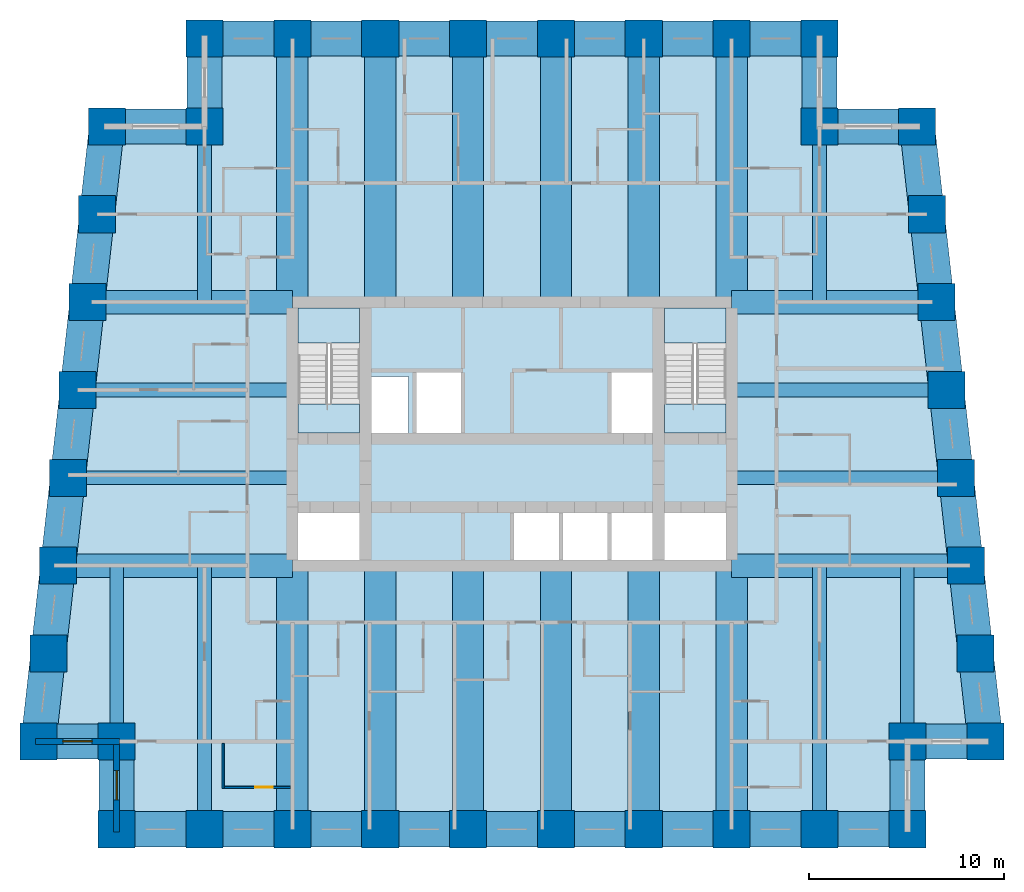
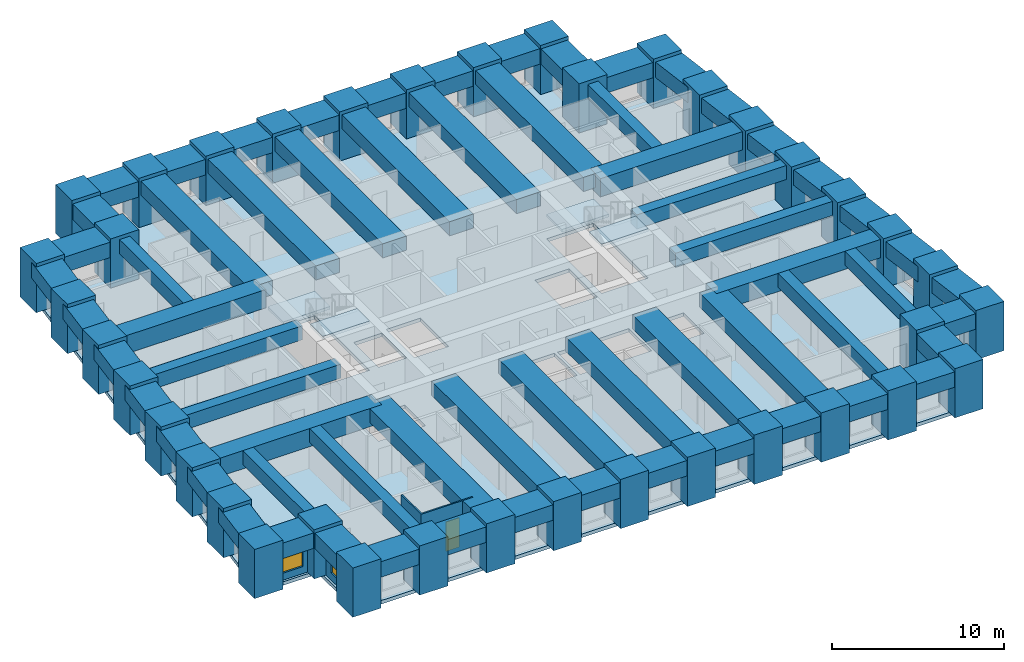
# One storey, part 1 of 8: 64 beams, 38 columns, 5 slabs, 4 walls, 2 windows, 1 door, 3 openings, 2 elements without a shape of their own.
"""IFC4 building model written with IfcOpenShell, lengths in metres."""

from ifc_helpers import new_model, si_unit, direction, frame, frame_2d, origin, origin_2d, place, context, subcontext, project, spatial, polyline, rectangle, outline, extrude, material, layer, layer_set, material_profile, profile_set, type_object, element, fill, aggregate, save


model = new_model("IFC4")

# Units and contexts
model_context = context("Model", 3, precision=1e-05, world=origin(), true_north=direction((0.0, 1.0)))
body_context = subcontext(model_context, "Body", "Model", "MODEL_VIEW")
ifc_project = project(units=[si_unit("LENGTHUNIT", "METRE"), si_unit("AREAUNIT", "SQUARE_METRE"), si_unit("VOLUMEUNIT", "CUBIC_METRE"), si_unit("PLANEANGLEUNIT", "RADIAN"), si_unit("MASSUNIT", "GRAM", prefix="KILO")], contexts=[model_context])

# Site, building, storey
site_placement = place(None, origin())
site = spatial("IfcSite", under=ifc_project, at=site_placement, CompositionType="ELEMENT")
building_placement = place(site_placement, origin())
building = spatial("IfcBuilding", under=site, at=building_placement, Name="Kilele Tower Hotel", CompositionType="ELEMENT")
storey_placement = place(building_placement, frame((0.0, 0.0, 114.39990234375)))
storey = spatial("IfcBuildingStorey", under=building, at=storey_placement, Name="L29", CompositionType="ELEMENT", Elevation=114.39990234375)

# Columns
ifc_material_1 = material(Name="Concrete C70/85", Category="concrete")
ifc_material_profile_1 = material_profile(ifc_material_1, rectangle(XDim=1.89990234375, YDim=1.89990234375, at=origin_2d()))
ifc_profile_set_1 = profile_set([ifc_material_profile_1], Name="Concrete C70/85")
column_type = type_object("IfcColumnType", Name="Tube column RC 1900x1900 C70/85", PredefinedType="COLUMN", material=ifc_profile_set_1)
for number, where, z_axis, x_axis, name in (
    (1, (0.5, 4.5, 0.0), (0.0, 0.0, 1.0), (1.0, 0.0, 0.0), "Column TC2 L29"),
    (2, (4.5, 4.5, 0.0), (0.0, 0.0, 1.0), (1.0, 0.0, 0.0), "Column TC2 L29"),
    (3, (4.5, 0.0, 0.0), (0.0, 0.0, 1.0), (1.0, 0.0, 0.0), "Column TC2 L29"),
    (4, (9.0, 0.0, 0.0), (0.0, 0.0, 1.0), (1.0, 0.0, 0.0), "Column TC2 L29"),
    (5, (13.5, 0.0, 0.0), (0.0, 0.0, 1.0), (1.0, 0.0, 0.0), "Column TC2 L29"),
    (6, (18.0, 0.0, 0.0), (0.0, 0.0, 1.0), (1.0, 0.0, 0.0), "Column TC2 L29"),
    (7, (22.5, 0.0, 0.0), (0.0, 0.0, 1.0), (1.0, 0.0, 0.0), "Column TC2 L29"),
    (8, (27.0, 0.0, 0.0), (0.0, 0.0, 1.0), (1.0, 0.0, 0.0), "Column TC2 L29"),
    (9, (31.5, 0.0, 0.0), (0.0, 0.0, 1.0), (1.0, 0.0, 0.0), "Column TC2 L29"),
    (10, (36.0, 0.0, 0.0), (0.0, 0.0, 1.0), (1.0, 0.0, 0.0), "Column TC2 L29"),
    (11, (40.5, 0.0, 0.0), (0.0, 0.0, 1.0), (1.0, 0.0, 0.0), "Column TC2 L29"),
    (12, (45.0, 0.0, 0.0), (0.0, 0.0, 1.0), (1.0, 0.0, 0.0), "Column TC2 L29"),
    (13, (45.0, 4.5, 0.0), (0.0, 0.0, 1.0), (1.0, 0.0, 0.0), "Column TC2 L29"),
    (14, (49.0, 4.5, 0.0), (0.0, 0.0, 1.0), (1.0, 0.0, 0.0), "Column TC2 L29"),
    (15, (48.5, 9.0, 0.0), (0.0, 0.0, 1.0), (1.0, 0.0, 0.0), "Column TC2 L29"),
    (16, (48.0, 13.5, 0.0), (0.0, 0.0, 1.0), (1.0, 0.0, 0.0), "Column TC2 L29"),
    (17, (47.5, 18.0, 0.0), (0.0, 0.0, 1.0), (1.0, 0.0, 0.0), "Column TC2 L29"),
    (18, (47.0, 22.5, 0.0), (0.0, 0.0, 1.0), (1.0, 0.0, 0.0), "Column TC2 L29"),
    (19, (46.5, 27.0, 0.0), (0.0, 0.0, 1.0), (1.0, 0.0, 0.0), "Column TC2 L29"),
    (20, (46.0, 31.5, 0.0), (0.0, 0.0, 1.0), (1.0, 0.0, 0.0), "Column TC2 L29"),
    (21, (45.5, 36.0, 0.0), (0.0, 0.0, 1.0), (1.0, 0.0, 0.0), "Column TC2 L29"),
    (22, (40.5, 36.0, 0.0), (0.0, 0.0, 1.0), (1.0, 0.0, 0.0), "Column TC2 L29"),
    (23, (40.5, 40.5, 0.0), (0.0, 0.0, 1.0), (1.0, 0.0, 0.0), "Column TC2 L29"),
    (24, (36.0, 40.5, 0.0), (0.0, 0.0, 1.0), (1.0, 0.0, 0.0), "Column TC2 L29"),
    (25, (31.5, 40.5, 0.0), (0.0, 0.0, 1.0), (1.0, 0.0, 0.0), "Column TC2 L29"),
    (26, (27.0, 40.5, 0.0), (0.0, 0.0, 1.0), (1.0, 0.0, 0.0), "Column TC2 L29"),
    (27, (22.5, 40.5, 0.0), (0.0, 0.0, 1.0), (1.0, 0.0, 0.0), "Column TC2 L29"),
    (28, (18.0, 40.5, 0.0), (0.0, 0.0, 1.0), (1.0, 0.0, 0.0), "Column TC2 L29"),
    (29, (13.5, 40.5, 0.0), (0.0, 0.0, 1.0), (1.0, 0.0, 0.0), "Column TC2 L29"),
    (30, (9.0, 40.5, 0.0), (0.0, 0.0, 1.0), (1.0, 0.0, 0.0), "Column TC2 L29"),
    (31, (9.0, 36.0, 0.0), (0.0, 0.0, 1.0), (1.0, 0.0, 0.0), "Column TC2 L29"),
    (32, (4.0, 36.0, 0.0), (0.0, 0.0, 1.0), (1.0, 0.0, 0.0), "Column TC2 L29"),
    (33, (3.5, 31.5, 0.0), (0.0, 0.0, 1.0), (1.0, 0.0, 0.0), "Column TC2 L29"),
    (34, (3.0, 27.0, 0.0), (0.0, 0.0, 1.0), (1.0, 0.0, 0.0), "Column TC2 L29"),
    (35, (2.5, 22.5, 0.0), (0.0, 0.0, 1.0), (1.0, 0.0, 0.0), "Column TC2 L29"),
    (36, (2.0, 18.0, 0.0), (0.0, 0.0, 1.0), (1.0, 0.0, 0.0), "Column TC2 L29"),
    (37, (1.5, 13.5, 0.0), (0.0, 0.0, 1.0), (1.0, 0.0, 0.0), "Column TC2 L29"),
    (38, (1.0, 9.0, 0.0), (0.0, 0.0, 1.0), (1.0, 0.0, 0.0), "Column TC2 L29"),
):
    element("IfcColumn", number, at=place(storey_placement, frame(where, z_axis=z_axis, x_axis=x_axis)), inside=storey, type_object=column_type, Name=name, PredefinedType="COLUMN", context=body_context, shape_type="SweptSolid", body=[
        extrude(rectangle(XDim=1.89990234375, YDim=1.89990234375, at=origin_2d()), origin(), (0.0, 0.0, 1.0), 3.5),
    ])

# Beams
ifc_material_2 = material(Name="Concrete C60/75", Category="concrete")
ifc_material_profile_2 = material_profile(ifc_material_2, rectangle(XDim=1.60009765625, YDim=1.0, at=origin_2d()))
ifc_profile_set_2 = profile_set([ifc_material_profile_2], Name="Concrete C60/75")
beam_type_1 = type_object("IfcBeamType", Name="Beam RC 1600x1000 C60/75", PredefinedType="BEAM", material=ifc_profile_set_2)
for number, where, z_axis, x_axis, name in (
    (39, (13.5, 0.0, 2.75), (0.0, 1.0, 0.0), (-1.0, 0.0, 0.0), "Beam BC1 level L30"),
    (40, (18.0, 0.0, 2.75), (0.0, 1.0, 0.0), (-1.0, 0.0, 0.0), "Beam BC1 level L30"),
    (41, (22.5, 0.0, 2.75), (0.0, 1.0, 0.0), (-1.0, 0.0, 0.0), "Beam BC1 level L30"),
    (42, (27.0, 0.0, 2.75), (0.0, 1.0, 0.0), (-1.0, 0.0, 0.0), "Beam BC1 level L30"),
    (43, (31.5, 0.0, 2.75), (0.0, 1.0, 0.0), (-1.0, 0.0, 0.0), "Beam BC1 level L30"),
    (44, (36.0, 0.0, 2.75), (0.0, 1.0, 0.0), (-1.0, 0.0, 0.0), "Beam BC1 level L30"),
    (45, (36.0, 40.5, 2.75), (0.0, -1.0, 0.0), (1.0, 0.0, 0.0), "Beam BC1 level L30"),
    (46, (31.5, 40.5, 2.75), (0.0, -1.0, 0.0), (1.0, 0.0, 0.0), "Beam BC1 level L30"),
    (47, (27.0, 40.5, 2.75), (0.0, -1.0, 0.0), (1.0, 0.0, 0.0), "Beam BC1 level L30"),
    (48, (22.5, 40.5, 2.75), (0.0, -1.0, 0.0), (1.0, 0.0, 0.0), "Beam BC1 level L30"),
    (49, (18.0, 40.5, 2.75), (0.0, -1.0, 0.0), (1.0, 0.0, 0.0), "Beam BC1 level L30"),
    (50, (13.5, 40.5, 2.75), (0.0, -1.0, 0.0), (1.0, 0.0, 0.0), "Beam BC1 level L30"),
):
    element("IfcBeam", number, at=place(storey_placement, frame(where, z_axis=z_axis, x_axis=x_axis)), inside=storey, type_object=beam_type_1, Name=name, PredefinedType="BEAM", context=body_context, shape_type="SweptSolid", body=[
        extrude(rectangle(XDim=1.60009765625, YDim=1.0, at=origin_2d()), origin(), (0.0, 0.0, 1.0), 13.5),
    ])
ifc_material_3 = material(Name="Concrete C60/75", Category="concrete")
ifc_material_profile_3 = material_profile(ifc_material_3, rectangle(XDim=0.699951171875, YDim=1.0, at=origin_2d()))
ifc_profile_set_3 = profile_set([ifc_material_profile_3], Name="Concrete C60/75")
beam_type_2 = type_object("IfcBeamType", Name="Beam RC 700x1000 C60/75", PredefinedType="BEAM", material=ifc_profile_set_3)
for number, where, z_axis, x_axis, name in (
    (51, (9.0, 0.0, 2.75), (0.0, 1.0, 0.0), (-1.0, 0.0, 0.0), "Beam B4 level L30"),
    (52, (40.5, 0.0, 2.75), (0.0, 1.0, 0.0), (-1.0, 0.0, 0.0), "Beam B4 level L30"),
):
    element("IfcBeam", number, at=place(storey_placement, frame(where, z_axis=z_axis, x_axis=x_axis)), inside=storey, type_object=beam_type_2, Name=name, PredefinedType="BEAM", context=body_context, shape_type="SweptSolid", body=[
        extrude(rectangle(XDim=0.699951171875, YDim=1.0, at=origin_2d()), origin(), (0.0, 0.0, 1.0), 13.5),
    ])
ifc_material_4 = material(Name="Concrete C60/75", Category="concrete")
ifc_material_profile_4 = material_profile(ifc_material_4, rectangle(XDim=0.699951171875, YDim=1.0, at=origin_2d()))
ifc_profile_set_4 = profile_set([ifc_material_profile_4], Name="Concrete C60/75")
beam_type_3 = type_object("IfcBeamType", Name="Beam RC 700x1000 C60/75 mid span", PredefinedType="BEAM", material=ifc_profile_set_4)
for number, where, z_axis, x_axis, name in (
    (53, (4.5, 4.5, 2.75), (0.0, 1.0, 0.0), (-1.0, 0.0, 0.0), "Beam B5 level L30"),
    (54, (45.0, 4.5, 2.75), (0.0, 1.0, 0.0), (-1.0, 0.0, 0.0), "Beam B5 level L30"),
):
    element("IfcBeam", number, at=place(storey_placement, frame(where, z_axis=z_axis, x_axis=x_axis)), inside=storey, type_object=beam_type_3, Name=name, PredefinedType="BEAM", context=body_context, shape_type="SweptSolid", body=[
        extrude(rectangle(XDim=0.699951171875, YDim=1.0, at=origin_2d()), origin(), (0.0, 0.0, 1.0), 9.0),
    ])
beam_1_placement = place(storey_placement, frame((47.5, 18.0, 2.75), z_axis=(-1.0, 0.0, 0.0), x_axis=(0.0, -1.0, 0.0)))
element("IfcBeam", 55, at=beam_1_placement, inside=storey, type_object=beam_type_3, Name="Beam B5 level L30", PredefinedType="BEAM", context=body_context, shape_type="SweptSolid", body=[
    extrude(rectangle(XDim=0.699951171875, YDim=1.0, at=origin_2d()), origin(), (0.0, 0.0, 1.0), 11.5),
])
beam_2_placement = place(storey_placement, frame((47.0, 22.5, 2.75), z_axis=(-1.0, 0.0, 0.0), x_axis=(0.0, -1.0, 0.0)))
element("IfcBeam", 56, at=beam_2_placement, inside=storey, type_object=beam_type_3, Name="Beam B5 level L30", PredefinedType="BEAM", context=body_context, shape_type="SweptSolid", body=[
    extrude(rectangle(XDim=0.699951171875, YDim=1.0, at=origin_2d()), origin(), (0.0, 0.0, 1.0), 11.0),
])
for number, where, z_axis, x_axis, name in (
    (57, (40.5, 36.0, 2.75), (0.0, -1.0, 0.0), (1.0, 0.0, 0.0), "Beam B5 level L30"),
    (58, (9.0, 36.0, 2.75), (0.0, -1.0, 0.0), (1.0, 0.0, 0.0), "Beam B5 level L30"),
):
    element("IfcBeam", number, at=place(storey_placement, frame(where, z_axis=z_axis, x_axis=x_axis)), inside=storey, type_object=beam_type_3, Name=name, PredefinedType="BEAM", context=body_context, shape_type="SweptSolid", body=[
        extrude(rectangle(XDim=0.699951171875, YDim=1.0, at=origin_2d()), origin(), (0.0, 0.0, 1.0), 9.0),
    ])
beam_3_placement = place(storey_placement, frame((2.5, 22.5, 2.75), z_axis=(1.0, 0.0, 0.0), x_axis=(0.0, 1.0, 0.0)))
element("IfcBeam", 59, at=beam_3_placement, inside=storey, type_object=beam_type_3, Name="Beam B5 level L30", PredefinedType="BEAM", context=body_context, shape_type="SweptSolid", body=[
    extrude(rectangle(XDim=0.699951171875, YDim=1.0, at=origin_2d()), origin(), (0.0, 0.0, 1.0), 11.0),
])
beam_4_placement = place(storey_placement, frame((2.0, 18.0, 2.75), z_axis=(1.0, 0.0, 0.0), x_axis=(0.0, 1.0, 0.0)))
element("IfcBeam", 60, at=beam_4_placement, inside=storey, type_object=beam_type_3, Name="Beam B5 level L30", PredefinedType="BEAM", context=body_context, shape_type="SweptSolid", body=[
    extrude(rectangle(XDim=0.699951171875, YDim=1.0, at=origin_2d()), origin(), (0.0, 0.0, 1.0), 11.5),
])
ifc_material_5 = material(Name="Concrete C60/75", Category="concrete")
ifc_material_profile_5 = material_profile(ifc_material_5, rectangle(XDim=1.199951171875, YDim=1.300048828125, at=origin_2d()))
ifc_profile_set_5 = profile_set([ifc_material_profile_5], Name="Concrete C60/75")
beam_type_4 = type_object("IfcBeamType", Name="Girder RC 1200x1300 C60/75", PredefinedType="BEAM", material=ifc_profile_set_5)
for number, where, z_axis, x_axis, name in (
    (61, (48.0, 13.5, 2.60009765625), (-1.0, 0.0, 0.0), (0.0, -1.0, 0.0), "Girder G1 level L30"),
    (62, (1.5, 13.5, 2.60009765625), (1.0, 0.0, 0.0), (0.0, 1.0, 0.0), "Girder G1 level L30"),
):
    element("IfcBeam", number, at=place(storey_placement, frame(where, z_axis=z_axis, x_axis=x_axis)), inside=storey, type_object=beam_type_4, Name=name, PredefinedType="BEAM", context=body_context, shape_type="SweptSolid", body=[
        extrude(rectangle(XDim=1.199951171875, YDim=1.300048828125, at=origin_2d()), origin(), (0.0, 0.0, 1.0), 12.0),
    ])
ifc_material_6 = material(Name="Concrete C60/75", Category="concrete")
ifc_material_profile_6 = material_profile(ifc_material_6, rectangle(XDim=1.199951171875, YDim=1.300048828125, at=origin_2d()))
ifc_profile_set_6 = profile_set([ifc_material_profile_6], Name="Concrete C60/75")
beam_type_5 = type_object("IfcBeamType", Name="Girder RC 1200x1300 C60/75 mid span", PredefinedType="BEAM", material=ifc_profile_set_6)
for number, where, z_axis, x_axis, name in (
    (63, (46.5, 27.0, 2.60009765625), (-1.0, 0.0, 0.0), (0.0, -1.0, 0.0), "Girder G3 level L30"),
    (64, (3.0, 27.0, 2.60009765625), (1.0, 0.0, 0.0), (0.0, 1.0, 0.0), "Girder G3 level L30"),
):
    element("IfcBeam", number, at=place(storey_placement, frame(where, z_axis=z_axis, x_axis=x_axis)), inside=storey, type_object=beam_type_5, Name=name, PredefinedType="BEAM", context=body_context, shape_type="SweptSolid", body=[
        extrude(rectangle(XDim=1.199951171875, YDim=1.300048828125, at=origin_2d()), origin(), (0.0, 0.0, 1.0), 10.5),
    ])
ifc_material_7 = material(Name="Concrete C60/75", Category="concrete")
ifc_material_profile_7 = material_profile(ifc_material_7, rectangle(XDim=1.800048828125, YDim=1.10009765625, at=origin_2d()))
ifc_profile_set_7 = profile_set([ifc_material_profile_7], Name="Concrete C60/75")
beam_type_6 = type_object("IfcBeamType", Name="Spandrel RC 1800x1100 C60/75", PredefinedType="SPANDREL", material=ifc_profile_set_7)
beam_5_placement = place(storey_placement, frame((0.5, 4.5, 2.7001953125), z_axis=(1.0, 0.0, 0.0), x_axis=(0.0, 1.0, 0.0)))
element("IfcBeam", 65, at=beam_5_placement, inside=storey, type_object=beam_type_6, Name="Spandrel SP4 level L30", PredefinedType="SPANDREL", context=body_context, shape_type="SweptSolid", body=[
    extrude(rectangle(XDim=1.800048828125, YDim=1.10009765625, at=origin_2d()), origin(), (0.0, 0.0, 1.0), 4.0),
])
for number, where, z_axis, x_axis, name in (
    (66, (4.5, 4.5, 2.7001953125), (0.0, -1.0, 0.0), (1.0, 0.0, 0.0), "Spandrel SP4 level L30"),
    (67, (4.5, 0.0, 2.7001953125), (1.0, 0.0, 0.0), (0.0, 1.0, 0.0), "Spandrel SP4 level L30"),
    (68, (9.0, 0.0, 2.7001953125), (1.0, 0.0, 0.0), (0.0, 1.0, 0.0), "Spandrel SP4 level L30"),
    (69, (13.5, 0.0, 2.7001953125), (1.0, 0.0, 0.0), (0.0, 1.0, 0.0), "Spandrel SP4 level L30"),
    (70, (18.0, 0.0, 2.7001953125), (1.0, 0.0, 0.0), (0.0, 1.0, 0.0), "Spandrel SP4 level L30"),
    (71, (22.5, 0.0, 2.7001953125), (1.0, 0.0, 0.0), (0.0, 1.0, 0.0), "Spandrel SP4 level L30"),
    (72, (27.0, 0.0, 2.7001953125), (1.0, 0.0, 0.0), (0.0, 1.0, 0.0), "Spandrel SP4 level L30"),
    (73, (31.5, 0.0, 2.7001953125), (1.0, 0.0, 0.0), (0.0, 1.0, 0.0), "Spandrel SP4 level L30"),
    (74, (36.0, 0.0, 2.7001953125), (1.0, 0.0, 0.0), (0.0, 1.0, 0.0), "Spandrel SP4 level L30"),
    (75, (40.5, 0.0, 2.7001953125), (1.0, 0.0, 0.0), (0.0, 1.0, 0.0), "Spandrel SP4 level L30"),
    (76, (45.0, 0.0, 2.7001953125), (0.0, 1.0, 0.0), (-1.0, 0.0, 0.0), "Spandrel SP4 level L30"),
):
    element("IfcBeam", number, at=place(storey_placement, frame(where, z_axis=z_axis, x_axis=x_axis)), inside=storey, type_object=beam_type_6, Name=name, PredefinedType="SPANDREL", context=body_context, shape_type="SweptSolid", body=[
        extrude(rectangle(XDim=1.800048828125, YDim=1.10009765625, at=origin_2d()), origin(), (0.0, 0.0, 1.0), 4.5),
    ])
beam_6_placement = place(storey_placement, frame((45.0, 4.5, 2.7001953125), z_axis=(1.0, 0.0, 0.0), x_axis=(0.0, 1.0, 0.0)))
element("IfcBeam", 77, at=beam_6_placement, inside=storey, type_object=beam_type_6, Name="Spandrel SP4 level L30", PredefinedType="SPANDREL", context=body_context, shape_type="SweptSolid", body=[
    extrude(rectangle(XDim=1.800048828125, YDim=1.10009765625, at=origin_2d()), origin(), (0.0, 0.0, 1.0), 4.0),
])
for number, where, z_axis, x_axis, name in (
    (78, (49.0, 4.5, 2.7001953125), (-0.110431526075, 0.993883734674, 0.0), (-0.993883734674, -0.110431526075, 0.0), "Spandrel SP4 level L30"),
    (79, (48.5, 9.0, 2.7001953125), (-0.110431526075, 0.993883734674, 0.0), (-0.993883734674, -0.110431526075, 0.0), "Spandrel SP4 level L30"),
    (80, (48.0, 13.5, 2.7001953125), (-0.110431526075, 0.993883734674, 0.0), (-0.993883734674, -0.110431526075, 0.0), "Spandrel SP4 level L30"),
    (81, (47.5, 18.0, 2.7001953125), (-0.110431526075, 0.993883734674, 0.0), (-0.993883734674, -0.110431526075, 0.0), "Spandrel SP4 level L30"),
    (82, (47.0, 22.5, 2.7001953125), (-0.110431526075, 0.993883734674, 0.0), (-0.993883734674, -0.110431526075, 0.0), "Spandrel SP4 level L30"),
    (83, (46.5, 27.0, 2.7001953125), (-0.110431526075, 0.993883734674, 0.0), (-0.993883734674, -0.110431526075, 0.0), "Spandrel SP4 level L30"),
    (84, (46.0, 31.5, 2.7001953125), (-0.110431526075, 0.993883734674, 0.0), (-0.993883734674, -0.110431526075, 0.0), "Spandrel SP4 level L30"),
):
    element("IfcBeam", number, at=place(storey_placement, frame(where, z_axis=z_axis, x_axis=x_axis)), inside=storey, type_object=beam_type_6, Name=name, PredefinedType="SPANDREL", context=body_context, shape_type="SweptSolid", body=[
        extrude(rectangle(XDim=1.800048828125, YDim=1.10009765625, at=origin_2d()), origin(), (0.0, 0.0, 1.0), 4.527587890625),
    ])
beam_7_placement = place(storey_placement, frame((45.5, 36.0, 2.7001953125), z_axis=(-1.0, 0.0, 0.0), x_axis=(0.0, -1.0, 0.0)))
element("IfcBeam", 85, at=beam_7_placement, inside=storey, type_object=beam_type_6, Name="Spandrel SP4 level L30", PredefinedType="SPANDREL", context=body_context, shape_type="SweptSolid", body=[
    extrude(rectangle(XDim=1.800048828125, YDim=1.10009765625, at=origin_2d()), origin(), (0.0, 0.0, 1.0), 5.0),
])
for number, where, z_axis, x_axis, name in (
    (86, (40.5, 36.0, 2.7001953125), (0.0, 1.0, 0.0), (-1.0, 0.0, 0.0), "Spandrel SP4 level L30"),
    (87, (40.5, 40.5, 2.7001953125), (-1.0, 0.0, 0.0), (0.0, -1.0, 0.0), "Spandrel SP4 level L30"),
    (88, (36.0, 40.5, 2.7001953125), (-1.0, 0.0, 0.0), (0.0, -1.0, 0.0), "Spandrel SP4 level L30"),
    (89, (31.5, 40.5, 2.7001953125), (-1.0, 0.0, 0.0), (0.0, -1.0, 0.0), "Spandrel SP4 level L30"),
    (90, (27.0, 40.5, 2.7001953125), (-1.0, 0.0, 0.0), (0.0, -1.0, 0.0), "Spandrel SP4 level L30"),
    (91, (22.5, 40.5, 2.7001953125), (-1.0, 0.0, 0.0), (0.0, -1.0, 0.0), "Spandrel SP4 level L30"),
    (92, (18.0, 40.5, 2.7001953125), (-1.0, 0.0, 0.0), (0.0, -1.0, 0.0), "Spandrel SP4 level L30"),
    (93, (13.5, 40.5, 2.7001953125), (-1.0, 0.0, 0.0), (0.0, -1.0, 0.0), "Spandrel SP4 level L30"),
    (94, (9.0, 40.5, 2.7001953125), (0.0, -1.0, 0.0), (1.0, 0.0, 0.0), "Spandrel SP4 level L30"),
):
    element("IfcBeam", number, at=place(storey_placement, frame(where, z_axis=z_axis, x_axis=x_axis)), inside=storey, type_object=beam_type_6, Name=name, PredefinedType="SPANDREL", context=body_context, shape_type="SweptSolid", body=[
        extrude(rectangle(XDim=1.800048828125, YDim=1.10009765625, at=origin_2d()), origin(), (0.0, 0.0, 1.0), 4.5),
    ])
beam_8_placement = place(storey_placement, frame((9.0, 36.0, 2.7001953125), z_axis=(-1.0, 0.0, 0.0), x_axis=(0.0, -1.0, 0.0)))
element("IfcBeam", 95, at=beam_8_placement, inside=storey, type_object=beam_type_6, Name="Spandrel SP4 level L30", PredefinedType="SPANDREL", context=body_context, shape_type="SweptSolid", body=[
    extrude(rectangle(XDim=1.800048828125, YDim=1.10009765625, at=origin_2d()), origin(), (0.0, 0.0, 1.0), 5.0),
])
for number, where, z_axis, x_axis, name in (
    (96, (4.0, 36.0, 2.7001953125), (-0.110431526075, -0.993883734674, 0.0), (0.993883734674, -0.110431526075, 0.0), "Spandrel SP4 level L30"),
    (97, (3.5, 31.5, 2.7001953125), (-0.110431526075, -0.993883734674, 0.0), (0.993883734674, -0.110431526075, 0.0), "Spandrel SP4 level L30"),
    (98, (3.0, 27.0, 2.7001953125), (-0.110431526075, -0.993883734674, 0.0), (0.993883734674, -0.110431526075, 0.0), "Spandrel SP4 level L30"),
    (99, (2.5, 22.5, 2.7001953125), (-0.110431526075, -0.993883734674, 0.0), (0.993883734674, -0.110431526075, 0.0), "Spandrel SP4 level L30"),
    (100, (2.0, 18.0, 2.7001953125), (-0.110431526075, -0.993883734674, 0.0), (0.993883734674, -0.110431526075, 0.0), "Spandrel SP4 level L30"),
    (101, (1.5, 13.5, 2.7001953125), (-0.110431526075, -0.993883734674, 0.0), (0.993883734674, -0.110431526075, 0.0), "Spandrel SP4 level L30"),
    (102, (1.0, 9.0, 2.7001953125), (-0.110431526075, -0.993883734674, 0.0), (0.993883734674, -0.110431526075, 0.0), "Spandrel SP4 level L30"),
):
    element("IfcBeam", number, at=place(storey_placement, frame(where, z_axis=z_axis, x_axis=x_axis)), inside=storey, type_object=beam_type_6, Name=name, PredefinedType="SPANDREL", context=body_context, shape_type="SweptSolid", body=[
        extrude(rectangle(XDim=1.800048828125, YDim=1.10009765625, at=origin_2d()), origin(), (0.0, 0.0, 1.0), 4.527587890625),
    ])

# Slab
ifc_material_8 = material(Name="Concrete C60/75", Category="concrete")
ifc_layer_1 = layer(ifc_material_8, 0.25)
ifc_layer_set_1 = layer_set([ifc_layer_1], Name="Concrete C60/75")
slab_type_1 = type_object("IfcSlabType", Name="Floor slab 250", PredefinedType="FLOOR", material=ifc_layer_set_1)
slab_1_placement = place(storey_placement, frame((0.0, 0.0, -0.25)))
element("IfcSlab", 103, at=slab_1_placement, inside=storey, type_object=slab_type_1, Name="Floor slab L29", PredefinedType="FLOOR", context=body_context, shape_type="SweptSolid", body=[
    extrude(outline(polyline([(8.699951171875, 36.300048828125), (8.699951171875, 40.800048828125), (40.800048828125, 40.800048828125), (40.800048828125, 36.300048828125), (45.7685546875, 36.300048828125), (49.335205078125, 4.199951171875), (45.300048828125, 4.199951171875), (45.300048828125, -0.300048828125), (4.199951171875, -0.300048828125), (4.199951171875, 4.199951171875), (0.164794921875, 4.199951171875), (3.7314453125, 36.300048828125), (8.699951171875, 36.300048828125)]), holes=[polyline([(16.949951171875, 16.199951171875), (13.800048828125, 16.199951171875), (13.800048828125, 13.800048828125), (16.949951171875, 13.800048828125), (16.949951171875, 16.199951171875)]), polyline([(35.699951171875, 16.199951171875), (32.550048828125, 16.199951171875), (32.550048828125, 13.800048828125), (35.699951171875, 13.800048828125), (35.699951171875, 16.199951171875)]), polyline([(27.14990234375, 16.39990234375), (24.85009765625, 16.39990234375), (24.85009765625, 13.800048828125), (27.14990234375, 13.800048828125), (27.14990234375, 16.39990234375)]), polyline([(29.64990234375, 13.800048828125), (29.64990234375, 16.39990234375), (27.35009765625, 16.39990234375), (27.35009765625, 13.800048828125), (29.64990234375, 13.800048828125)]), polyline([(32.14990234375, 13.800048828125), (32.14990234375, 16.39990234375), (29.85009765625, 16.39990234375), (29.85009765625, 13.800048828125), (32.14990234375, 13.800048828125)]), polyline([(19.449951171875, 23.199951171875), (17.550048828125, 23.199951171875), (17.550048828125, 20.300048828125), (19.449951171875, 20.300048828125), (19.449951171875, 23.199951171875)]), polyline([(22.14990234375, 23.39990234375), (19.85009765625, 23.39990234375), (19.85009765625, 20.10009765625), (22.14990234375, 20.10009765625), (22.14990234375, 23.39990234375)]), polyline([(32.14990234375, 23.39990234375), (29.85009765625, 23.39990234375), (29.85009765625, 20.10009765625), (32.14990234375, 20.10009765625), (32.14990234375, 23.39990234375)]), polyline([(16.949951171875, 20.300048828125), (16.949951171875, 26.699951171875), (13.800048828125, 26.699951171875), (13.800048828125, 20.300048828125), (16.949951171875, 20.300048828125)]), polyline([(35.699951171875, 20.300048828125), (35.699951171875, 26.699951171875), (32.550048828125, 26.699951171875), (32.550048828125, 20.300048828125), (35.699951171875, 20.300048828125)])]), origin(), (0.0, 0.0, 1.0), 0.25),
])

# Stair, slabs
ifc_material_9 = material(Name="Precast concrete C40/50", Category="concrete")
stair_type = type_object("IfcStairType", Name="Stair 1475 x 3500", PredefinedType="HALF_TURN_STAIR", material=ifc_material_9)
stair_1_placement = place(storey_placement, origin())
stair_1 = element("IfcStair", 104, at=stair_1_placement, inside=storey, type_object=stair_type, Name="Stair 1 L29", PredefinedType="HALF_TURN_STAIR")
ifc_material_10 = material(Name="Precast concrete C40/50", Category="concrete")
ifc_layer_2 = layer(ifc_material_10, 0.199951171875)
ifc_layer_set_2 = layer_set([ifc_layer_2], Name="Precast concrete C40/50")
slab_type_2 = type_object("IfcSlabType", Name="Stair landing 200", PredefinedType="LANDING", material=ifc_layer_set_2)
slab_2_placement = place(storey_placement, frame((0.0, 0.0, 1.550048828125)))
slab_2 = element("IfcSlab", 105, at=slab_2_placement, type_object=slab_type_2, Name="ST1 landing 1", PredefinedType="LANDING", context=body_context, shape_type="SweptSolid", body=[
    extrude(outline(polyline([(13.800048828125, 24.89501953125), (16.949951171875, 24.89501953125), (16.949951171875, 26.699951171875), (13.800048828125, 26.699951171875), (13.800048828125, 24.89501953125)])), origin(), (0.0, 0.0, 1.0), 0.199951171875),
])
slab_3_placement = place(storey_placement, frame((0.0, 0.0, 3.300048828125)))
slab_3 = element("IfcSlab", 106, at=slab_3_placement, type_object=slab_type_2, Name="ST1 landing 2", PredefinedType="LANDING", context=body_context, shape_type="SweptSolid", body=[
    extrude(outline(polyline([(13.800048828125, 20.300048828125), (16.949951171875, 20.300048828125), (16.949951171875, 21.77490234375), (13.800048828125, 21.77490234375), (13.800048828125, 20.300048828125)])), origin(), (0.0, 0.0, 1.0), 0.199951171875),
])
aggregate(stair_1, [slab_2, slab_3])

stair_2_placement = place(storey_placement, origin())
stair_2 = element("IfcStair", 107, at=stair_2_placement, inside=storey, type_object=stair_type, Name="Stair 2 L29", PredefinedType="HALF_TURN_STAIR")
slab_4_placement = place(storey_placement, frame((0.0, 0.0, 1.550048828125)))
slab_4 = element("IfcSlab", 108, at=slab_4_placement, type_object=slab_type_2, Name="ST2 landing 1", PredefinedType="LANDING", context=body_context, shape_type="SweptSolid", body=[
    extrude(outline(polyline([(32.550048828125, 24.89501953125), (35.699951171875, 24.89501953125), (35.699951171875, 26.699951171875), (32.550048828125, 26.699951171875), (32.550048828125, 24.89501953125)])), origin(), (0.0, 0.0, 1.0), 0.199951171875),
])
slab_5_placement = place(storey_placement, frame((0.0, 0.0, 3.300048828125)))
slab_5 = element("IfcSlab", 109, at=slab_5_placement, type_object=slab_type_2, Name="ST2 landing 2", PredefinedType="LANDING", context=body_context, shape_type="SweptSolid", body=[
    extrude(outline(polyline([(32.550048828125, 20.300048828125), (35.699951171875, 20.300048828125), (35.699951171875, 21.77490234375), (32.550048828125, 21.77490234375), (32.550048828125, 20.300048828125)])), origin(), (0.0, 0.0, 1.0), 0.199951171875),
])
aggregate(stair_2, [slab_4, slab_5])

# Wall
ifc_material_11 = material(Name="Moisture-resistant board")
ifc_layer_3 = layer(ifc_material_11, 0.10009765625)
ifc_layer_set_3 = layer_set([ifc_layer_3], Name="Moisture-resistant board")
wall_type_1 = type_object("IfcWallType", Name="Bathroom partition 100", PredefinedType="PLUMBINGWALL", material=ifc_layer_set_3)
wall_1_placement = place(storey_placement, frame((9.949951171875, 4.39990234375, 0.0), z_axis=(0.0, 0.0, 1.0), x_axis=(0.0, -1.0, 0.0)))
element("IfcWall", 110, at=wall_1_placement, inside=storey, type_object=wall_type_1, Name="Bathroom partition 100 L29", PredefinedType="PLUMBINGWALL", context=body_context, shape_type="SweptSolid", body=[
    extrude(rectangle(XDim=2.2998046875, YDim=0.10009765625, at=frame_2d((1.14990234375, 0.0))), origin(), (0.0, 0.0, 1.0), 3.25),
])

# Wall, opening, door
wall_2_placement = place(storey_placement, frame((13.39990234375, 2.14990234375, 0.0), z_axis=(0.0, 0.0, 1.0), x_axis=(-1.0, 0.0, 0.0)))
wall_2 = element("IfcWall", 111, at=wall_2_placement, inside=storey, type_object=wall_type_1, Name="Bathroom partition 100 L29", PredefinedType="PLUMBINGWALL", context=body_context, shape_type="SweptSolid", body=[
    extrude(rectangle(XDim=3.5, YDim=0.10009765625, at=frame_2d((1.75, 0.0))), origin(), (0.0, 0.0, 1.0), 3.25),
])
opening_1_placement = place(wall_2_placement, frame((0.89990234375, 0.0, 0.0)))
opening_1 = element("IfcOpeningElement", 112, at=opening_1_placement, cuts=wall_2, Name="Opening D2A", PredefinedType="OPENING", context=body_context, shape_type="SweptSolid", body=[
    extrude(rectangle(XDim=0.89990234375, YDim=2.10009765625, at=frame_2d((0.449951171875, 1.050048828125))), frame((0.0, 0.06005859375, 0.0), z_axis=(0.0, -1.0, 0.0), x_axis=(1.0, 0.0, 0.0)), (0.0, 0.0, 1.0), 0.1201171875),
])
ifc_material_12 = material(Name="Timber door leaf in hardwood frame", Category="wood")
door_type = type_object("IfcDoorType", Name="Bathroom door 900", OperationType="SINGLE_SWING_LEFT", PredefinedType="DOOR", material=ifc_material_12)
door_placement = place(opening_1_placement, origin())
door = element("IfcDoor", 113, at=door_placement, inside=storey, type_object=door_type, Name="Bathroom door 2919B", OperationType="SINGLE_SWING_LEFT", OverallHeight=2.10009765625, OverallWidth=0.89990234375, PredefinedType="DOOR", context=body_context, shape_type="SweptSolid", body=[
    extrude(rectangle(XDim=0.89990234375, YDim=2.10009765625, at=frame_2d((0.449951171875, 1.050048828125))), frame((0.0, 0.02490234375, 0.0), z_axis=(0.0, -1.0, 0.0), x_axis=(1.0, 0.0, 0.0)), (0.0, 0.0, 1.0), 0.050048828125),
])
fill(opening_1, door)

# Wall, opening, window
ifc_material_13 = material(Name="Concrete C40/50 precast", Category="concrete")
ifc_layer_4 = layer(ifc_material_13, 0.260009765625, Name="Precast backing", Category="LoadBearing")
ifc_material_14 = material(Name="Reconstituted stone finish", Category="masonry")
ifc_layer_5 = layer(ifc_material_14, 0.0400390625, Name="Face mix", Category="Finish")
ifc_layer_set_4 = layer_set([ifc_layer_4, ifc_layer_5], Name="Precast concrete C40/50, reconstituted stone finish")
wall_type_2 = type_object("IfcWallType", Name="Precast stone facade wall 300", PredefinedType="STANDARD", material=ifc_layer_set_4)
wall_3_placement = place(storey_placement, frame((0.35009765625, 4.5, 0.0), z_axis=(0.0, 0.0, 1.0), x_axis=(1.0, 0.0, 0.0)))
wall_3 = element("IfcWall", 114, at=wall_3_placement, inside=storey, type_object=wall_type_2, Name="Facade wall L29 edge 1", PredefinedType="STANDARD", context=body_context, shape_type="SweptSolid", body=[
    extrude(rectangle(XDim=4.2998046875, YDim=0.300048828125, at=frame_2d((2.14990234375, 0.0))), origin(), (0.0, 0.0, 1.0), 2.150146484375),
])
opening_2_placement = place(wall_3_placement, frame((1.39990234375, 0.0, 0.5)))
opening_2 = element("IfcOpeningElement", 115, at=opening_2_placement, cuts=wall_3, Name="Opening W2", PredefinedType="OPENING", context=body_context, shape_type="SweptSolid", body=[
    extrude(rectangle(XDim=1.5, YDim=1.5, at=frame_2d((0.75, 0.75))), frame((0.0, 0.159912109375, 0.0), z_axis=(0.0, -1.0, 0.0), x_axis=(1.0, 0.0, 0.0)), (0.0, 0.0, 1.0), 0.320068359375),
])
ifc_material_15 = material(Name="Aluminium frame, clear double glazing", Category="aluminium")
window_type = type_object("IfcWindowType", Name="Window W2 1500 x 1500", PartitioningType="SINGLE_PANEL", PredefinedType="WINDOW", material=ifc_material_15)
window_1_placement = place(opening_2_placement, origin())
window_1 = element("IfcWindow", 116, at=window_1_placement, inside=storey, type_object=window_type, Name="Window L29", OverallHeight=1.5, OverallWidth=1.5, PartitioningType="SINGLE_PANEL", PredefinedType="WINDOW", context=body_context, shape_type="SweptSolid", body=[
    extrude(rectangle(XDim=1.5, YDim=1.5, at=frame_2d((0.75, 0.75))), frame((0.0, 0.030029296875, 0.0), z_axis=(0.0, -1.0, 0.0), x_axis=(1.0, 0.0, 0.0)), (0.0, 0.0, 1.0), 0.06005859375),
])
fill(opening_2, window_1)

wall_4_placement = place(storey_placement, frame((4.5, 4.64990234375, 0.0), z_axis=(0.0, 0.0, 1.0), x_axis=(0.0, -1.0, 0.0)))
wall_4 = element("IfcWall", 117, at=wall_4_placement, inside=storey, type_object=wall_type_2, Name="Facade wall L29 edge 2", PredefinedType="STANDARD", context=body_context, shape_type="SweptSolid", body=[
    extrude(rectangle(XDim=4.7998046875, YDim=0.300048828125, at=frame_2d((2.39990234375, 0.0))), origin(), (0.0, 0.0, 1.0), 2.150146484375),
])
opening_3_placement = place(wall_4_placement, frame((1.64990234375, 0.0, 0.5)))
opening_3 = element("IfcOpeningElement", 118, at=opening_3_placement, cuts=wall_4, Name="Opening W2", PredefinedType="OPENING", context=body_context, shape_type="SweptSolid", body=[
    extrude(rectangle(XDim=1.5, YDim=1.5, at=frame_2d((0.75, 0.75))), frame((0.0, 0.159912109375, 0.0), z_axis=(0.0, -1.0, 0.0), x_axis=(1.0, 0.0, 0.0)), (0.0, 0.0, 1.0), 0.320068359375),
])
window_2_placement = place(opening_3_placement, origin())
window_2 = element("IfcWindow", 119, at=window_2_placement, inside=storey, type_object=window_type, Name="Window L29", OverallHeight=1.5, OverallWidth=1.5, PartitioningType="SINGLE_PANEL", PredefinedType="WINDOW", context=body_context, shape_type="SweptSolid", body=[
    extrude(rectangle(XDim=1.5, YDim=1.5, at=frame_2d((0.75, 0.75))), frame((0.0, 0.030029296875, 0.0), z_axis=(0.0, -1.0, 0.0), x_axis=(1.0, 0.0, 0.0)), (0.0, 0.0, 1.0), 0.06005859375),
])
fill(opening_3, window_2)

save(model, "model.ifc")
